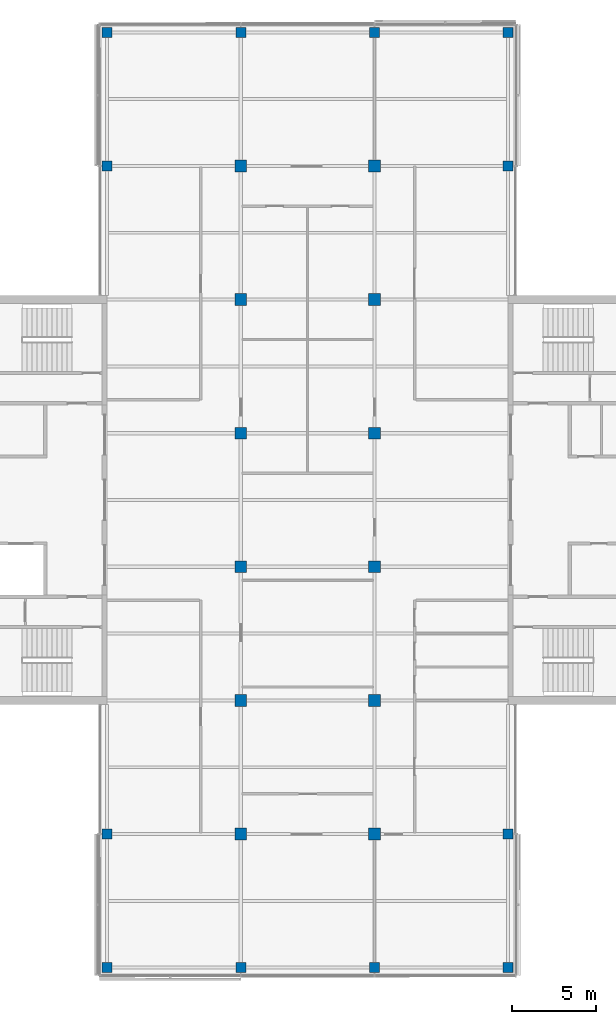
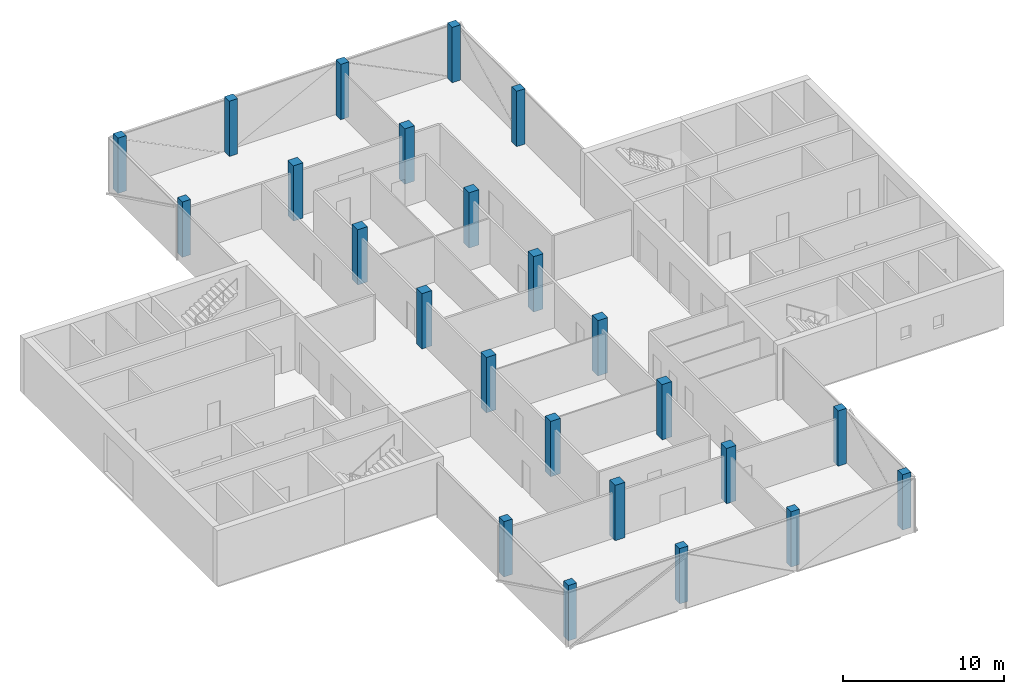
# One storey, part 1 of 15: 24 columns.
"""IFC4 building model written with IfcOpenShell, lengths in metres."""

from ifc_helpers import new_model, si_unit, direction, frame, origin, origin_2d, place, context, subcontext, project, spatial, rectangle, extrude, material, material_profile, profile_set, type_object, element, save


model = new_model("IFC4")

# Units and contexts
model_context = context("Model", 3, precision=1e-05, world=origin(), true_north=direction((0.0, 1.0)))
body_context = subcontext(model_context, "Body", "Model", "MODEL_VIEW")
ifc_project = project(units=[si_unit("LENGTHUNIT", "METRE"), si_unit("AREAUNIT", "SQUARE_METRE"), si_unit("VOLUMEUNIT", "CUBIC_METRE"), si_unit("PLANEANGLEUNIT", "RADIAN"), si_unit("MASSUNIT", "GRAM", prefix="KILO")], contexts=[model_context])

# Site, building, storey
site_placement = place(None, origin())
site = spatial("IfcSite", under=ifc_project, at=site_placement, CompositionType="ELEMENT")
building_placement = place(site_placement, origin())
building = spatial("IfcBuilding", under=site, at=building_placement, Name="Crosswind Convention Tower", CompositionType="ELEMENT")
storey_placement = place(building_placement, frame((0.0, 0.0, 261.89990234375)))
storey = spatial("IfcBuildingStorey", under=building, at=storey_placement, Name="L56", CompositionType="ELEMENT", Elevation=261.89990234375)

# Columns
ifc_material = material(Name="Concrete C60/75", Category="concrete")
ifc_material_profile_1 = material_profile(ifc_material, rectangle(XDim=0.60009765625, YDim=0.60009765625, at=origin_2d()), Name="RC 600X600")
ifc_profile_set_1 = profile_set([ifc_material_profile_1], Name="Concrete C60/75")
column_type_1 = type_object("IfcColumnType", Name="Column RC 600X600", PredefinedType="COLUMN", material=ifc_profile_set_1)
for number, where, z_axis, x_axis, name in (
    (1, (113.0, 72.0, 0.0), (0.0, 0.0, 1.0), (1.0, 0.0, 0.0), "C16 L56 5/C"),
    (2, (113.0, 80.0, 0.0), (0.0, 0.0, 1.0), (1.0, 0.0, 0.0), "C16 L56 5/D"),
    (3, (113.0, 120.0, 0.0), (0.0, 0.0, 1.0), (1.0, 0.0, 0.0), "C16 L56 5/I"),
    (4, (113.0, 128.0, 0.0), (0.0, 0.0, 1.0), (1.0, 0.0, 0.0), "C16 L56 5/J"),
    (5, (121.0, 72.0, 0.0), (0.0, 0.0, 1.0), (1.0, 0.0, 0.0), "C16 L56 6/C"),
    (6, (121.0, 128.0, 0.0), (0.0, 0.0, 1.0), (1.0, 0.0, 0.0), "C16 L56 6/J"),
    (7, (129.0, 72.0, 0.0), (0.0, 0.0, 1.0), (1.0, 0.0, 0.0), "C16 L56 7/C"),
    (8, (129.0, 128.0, 0.0), (0.0, 0.0, 1.0), (1.0, 0.0, 0.0), "C16 L56 7/J"),
    (9, (137.0, 72.0, 0.0), (0.0, 0.0, 1.0), (1.0, 0.0, 0.0), "C16 L56 8/C"),
    (10, (137.0, 80.0, 0.0), (0.0, 0.0, 1.0), (1.0, 0.0, 0.0), "C16 L56 8/D"),
    (11, (137.0, 120.0, 0.0), (0.0, 0.0, 1.0), (1.0, 0.0, 0.0), "C16 L56 8/I"),
    (12, (137.0, 128.0, 0.0), (0.0, 0.0, 1.0), (1.0, 0.0, 0.0), "C16 L56 8/J"),
):
    element("IfcColumn", number, at=place(storey_placement, frame(where, z_axis=z_axis, x_axis=x_axis)), inside=storey, type_object=column_type_1, Name=name, PredefinedType="COLUMN", context=body_context, shape_type="SweptSolid", body=[
        extrude(rectangle(XDim=0.60009765625, YDim=0.60009765625, at=origin_2d()), origin(), (0.0, 0.0, 1.0), 4.2001953125),
    ])
ifc_material_profile_2 = material_profile(ifc_material, rectangle(XDim=0.699951171875, YDim=0.699951171875, at=origin_2d()), Name="RC 700X700")
ifc_profile_set_2 = profile_set([ifc_material_profile_2], Name="Concrete C60/75")
column_type_2 = type_object("IfcColumnType", Name="Column RC 700X700", PredefinedType="COLUMN", material=ifc_profile_set_2)
for number, where, z_axis, x_axis, name in (
    (13, (121.0, 80.0, 0.0), (0.0, 0.0, 1.0), (1.0, 0.0, 0.0), "C15 L56 6/D"),
    (14, (121.0, 88.0, 0.0), (0.0, 0.0, 1.0), (1.0, 0.0, 0.0), "C15 L56 6/E"),
    (15, (121.0, 96.0, 0.0), (0.0, 0.0, 1.0), (1.0, 0.0, 0.0), "C15 L56 6/F"),
    (16, (121.0, 104.0, 0.0), (0.0, 0.0, 1.0), (1.0, 0.0, 0.0), "C15 L56 6/G"),
    (17, (121.0, 112.0, 0.0), (0.0, 0.0, 1.0), (1.0, 0.0, 0.0), "C15 L56 6/H"),
    (18, (121.0, 120.0, 0.0), (0.0, 0.0, 1.0), (1.0, 0.0, 0.0), "C15 L56 6/I"),
    (19, (129.0, 80.0, 0.0), (0.0, 0.0, 1.0), (1.0, 0.0, 0.0), "C15 L56 7/D"),
    (20, (129.0, 88.0, 0.0), (0.0, 0.0, 1.0), (1.0, 0.0, 0.0), "C15 L56 7/E"),
    (21, (129.0, 96.0, 0.0), (0.0, 0.0, 1.0), (1.0, 0.0, 0.0), "C15 L56 7/F"),
    (22, (129.0, 104.0, 0.0), (0.0, 0.0, 1.0), (1.0, 0.0, 0.0), "C15 L56 7/G"),
    (23, (129.0, 112.0, 0.0), (0.0, 0.0, 1.0), (1.0, 0.0, 0.0), "C15 L56 7/H"),
    (24, (129.0, 120.0, 0.0), (0.0, 0.0, 1.0), (1.0, 0.0, 0.0), "C15 L56 7/I"),
):
    element("IfcColumn", number, at=place(storey_placement, frame(where, z_axis=z_axis, x_axis=x_axis)), inside=storey, type_object=column_type_2, Name=name, PredefinedType="COLUMN", context=body_context, shape_type="SweptSolid", body=[
        extrude(rectangle(XDim=0.699951171875, YDim=0.699951171875, at=origin_2d()), origin(), (0.0, 0.0, 1.0), 4.2001953125),
    ])

save(model, "model.ifc")
